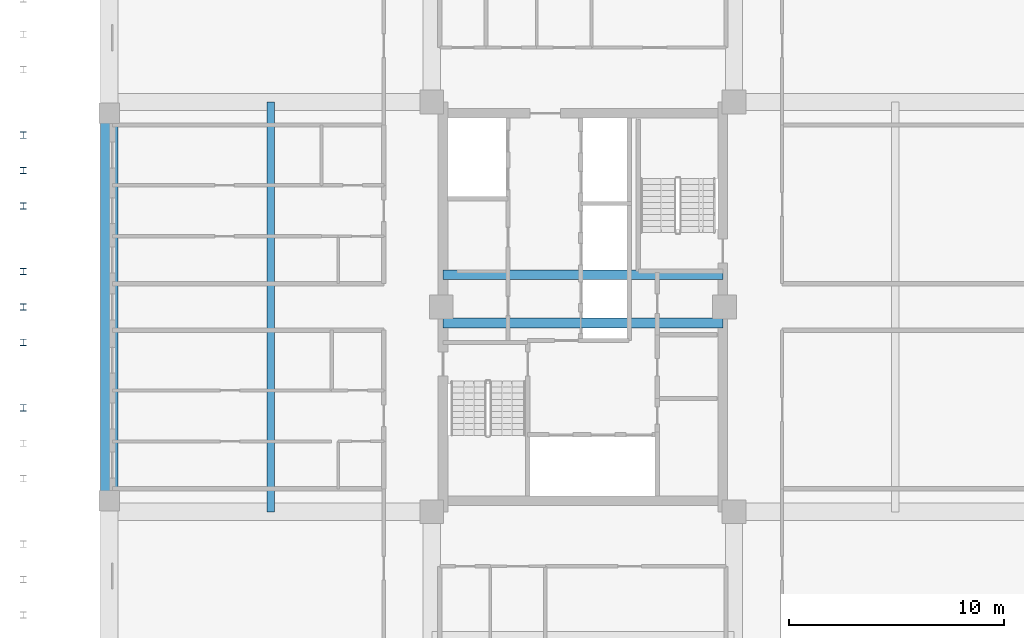
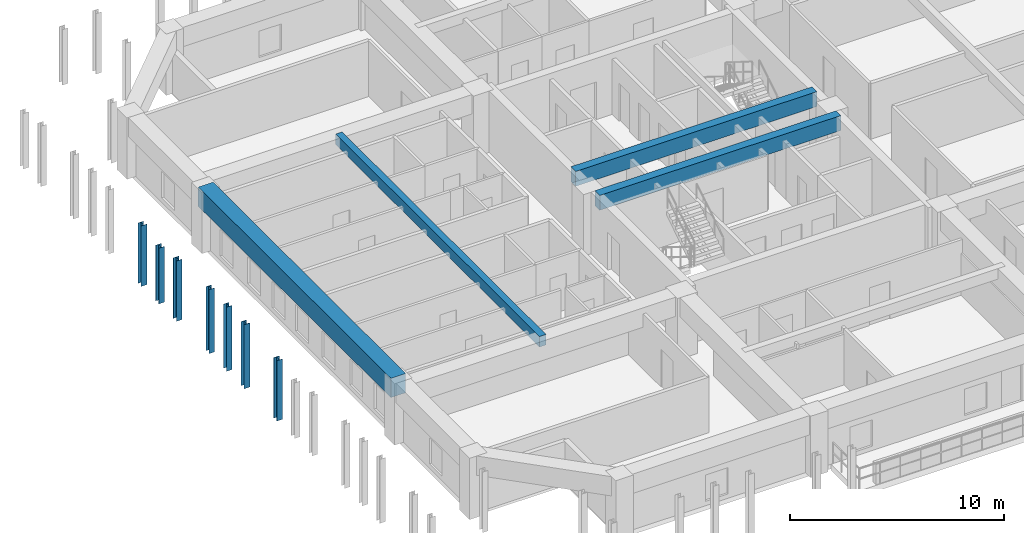
# One storey, part 3 of 13: 7 members, 4 beams.
"""IFC4 building model written with IfcOpenShell, lengths in metres."""

from ifc_helpers import new_model, si_unit, direction, frame, origin, origin_2d, place, context, subcontext, project, spatial, rectangle, i_section, extrude, source, transform, mapped, material, material_profile, profile_set, type_object, element, save


model = new_model("IFC4")

# Units and contexts
model_context = context("Model", 3, precision=1e-05, world=origin(), true_north=direction((0.0, 1.0)))
body_context = subcontext(model_context, "Body", "Model", "MODEL_VIEW")
ifc_project = project(units=[si_unit("LENGTHUNIT", "METRE"), si_unit("AREAUNIT", "SQUARE_METRE"), si_unit("VOLUMEUNIT", "CUBIC_METRE"), si_unit("PLANEANGLEUNIT", "RADIAN"), si_unit("MASSUNIT", "GRAM", prefix="KILO")], contexts=[model_context])

# Site, building, storey
site_placement = place(None, origin())
site = spatial("IfcSite", under=ifc_project, at=site_placement, CompositionType="ELEMENT")
building_placement = place(site_placement, origin())
building = spatial("IfcBuilding", under=site, at=building_placement, Name="Saelheon Loggia Tower", CompositionType="ELEMENT")
storey_placement = place(building_placement, frame((0.0, 0.0, 148.699951171875)))
storey = spatial("IfcBuildingStorey", under=building, at=storey_placement, Name="L47", CompositionType="ELEMENT", Elevation=148.699951171875)

# Beams
ifc_material_1 = material(Name="Concrete C50/60", Category="concrete")
ifc_material_profile_1 = material_profile(ifc_material_1, rectangle(XDim=0.449951171875, YDim=0.85009765625, at=origin_2d()), Name="RC-450x850")
ifc_profile_set_1 = profile_set([ifc_material_profile_1], Name="Concrete C50/60")
beam_type_1 = type_object("IfcBeamType", Name="Beam_CoreLintel_RC450x850", PredefinedType="LINTEL", material=ifc_profile_set_1)
shared_shape_1 = source(origin(), body_context, "Body", "SweptSolid", [
    extrude(rectangle(XDim=0.449951171875, YDim=0.85009765625, at=origin_2d()), origin(), (0.0, 0.0, 1.0), 13.0),
])
for number, where, z_axis, x_axis, name in (
    (1, (31.5, 26.25, 3.074951171875), (1.0, 0.0, 0.0), (0.0, 1.0, 0.0), "L47 Core Coupling Lintel 1"),
    (2, (31.5, 28.5, 3.074951171875), (1.0, 0.0, 0.0), (0.0, 1.0, 0.0), "L47 Core Coupling Lintel 2"),
):
    element("IfcBeam", number, at=place(storey_placement, frame(where, z_axis=z_axis, x_axis=x_axis)), inside=storey, type_object=beam_type_1, Name=name, PredefinedType="LINTEL", context=body_context, shape_type="MappedRepresentation", body=[
        mapped(shared_shape_1, transform((0.0, 0.0, 0.0), scale=1.0)),
    ])

# Members
ifc_material_2 = material(Name="Steel SM355", Category="steel")
ifc_material_profile_2 = material_profile(ifc_material_2, i_section(OverallWidth=0.300048828125, OverallDepth=0.300048828125, WebThickness=0.010009765625, FlangeThickness=0.014892578125, at=origin_2d()), Name="H-300x300x10x15")
ifc_profile_set_2 = profile_set([ifc_material_profile_2], Name="Steel SM355")
member_type = type_object("IfcMemberType", Name="WaveCrest_Post_H300", PredefinedType="POST", material=ifc_profile_set_2)
shared_shape_2 = source(origin(), body_context, "Body", "SweptSolid", [
    extrude(i_section(OverallWidth=0.300048828125, OverallDepth=0.300048828125, WebThickness=0.010009765625, FlangeThickness=0.014892578125, at=origin_2d()), origin(), (0.0, 0.0, 1.0), 3.169921875),
])
member_placement = place(storey_placement, frame((12.0, 33.333251953125, -0.14990234375), z_axis=(0.0, 0.0, 1.0), x_axis=(1.0, 0.0, 0.0)))
element("IfcMember", 3, at=member_placement, inside=storey, type_object=member_type, Name="Tier 1 Wave Crest Lower Post W 04", PredefinedType="POST", context=body_context, shape_type="MappedRepresentation", body=[
    mapped(shared_shape_2, transform((0.0, 0.0, 0.0), scale=1.0)),
])
shared_shape_3 = source(origin(), body_context, "Body", "SweptSolid", [
    extrude(i_section(OverallWidth=0.300048828125, OverallDepth=0.300048828125, WebThickness=0.010009765625, FlangeThickness=0.014892578125, at=origin_2d()), origin(), (0.0, 0.0, 1.0), 3.64990234375),
])
for number, where, z_axis, x_axis, name in (
    (4, (12.0, 27.0, -0.14990234375), (0.0, 0.0, 1.0), (1.0, 0.0, 0.0), "Tier 1 Wave Crest Lower Post W 03"),
    (5, (12.0, 25.355224609375, -0.14990234375), (0.0, 0.0, 1.0), (1.0, 0.0, 0.0), "Tier 1 Rafter Outer Lower Post W 03"),
    (6, (12.0, 28.644775390625, -0.14990234375), (0.0, 0.0, 1.0), (1.0, 0.0, 0.0), "Tier 1 Rafter Outer Lower Post W 04"),
):
    element("IfcMember", number, at=place(storey_placement, frame(where, z_axis=z_axis, x_axis=x_axis)), inside=storey, type_object=member_type, Name=name, PredefinedType="POST", context=body_context, shape_type="MappedRepresentation", body=[
        mapped(shared_shape_3, transform((0.0, 0.0, 0.0), scale=1.0)),
    ])
shared_shape_4 = source(origin(), body_context, "Body", "SweptSolid", [
    extrude(i_section(OverallWidth=0.300048828125, OverallDepth=0.300048828125, WebThickness=0.010009765625, FlangeThickness=0.014892578125, at=origin_2d()), origin(), (0.0, 0.0, 1.0), 3.44189453125),
])
for number, where, z_axis, x_axis, name in (
    (7, (12.0, 22.3115234375, -0.14990234375), (0.0, 0.0, 1.0), (1.0, 0.0, 0.0), "Tier 1 Rafter Outer Lower Post W 03"),
    (8, (12.0, 31.6884765625, -0.14990234375), (0.0, 0.0, 1.0), (1.0, 0.0, 0.0), "Tier 1 Rafter Outer Lower Post W 04"),
    (9, (12.0, 34.97802734375, -0.14990234375), (0.0, 0.0, 1.0), (1.0, 0.0, 0.0), "Tier 1 Rafter Outer Lower Post W 05"),
):
    element("IfcMember", number, at=place(storey_placement, frame(where, z_axis=z_axis, x_axis=x_axis)), inside=storey, type_object=member_type, Name=name, PredefinedType="POST", context=body_context, shape_type="MappedRepresentation", body=[
        mapped(shared_shape_4, transform((0.0, 0.0, 0.0), scale=1.0)),
    ])

# Beams
ifc_material_3 = material(Name="Concrete C45/55", Category="concrete")
ifc_material_profile_3 = material_profile(ifc_material_3, rectangle(XDim=0.35009765625, YDim=0.60009765625, at=origin_2d()), Name="RC-350x600")
ifc_profile_set_3 = profile_set([ifc_material_profile_3], Name="Concrete C45/55")
beam_type_2 = type_object("IfcBeamType", Name="Beam_AmenityJoist_RC350x600", PredefinedType="JOIST", material=ifc_profile_set_3)
shared_shape_5 = source(origin(), body_context, "Body", "SweptSolid", [
    extrude(rectangle(XDim=0.35009765625, YDim=0.60009765625, at=origin_2d()), origin(), (0.0, 0.0, 1.0), 19.0400390625),
])
beam_1_placement = place(storey_placement, frame((23.489990234375, 17.47998046875, 3.199951171875), z_axis=(0.0, 1.0, 0.0), x_axis=(-1.0, 0.0, 0.0)))
element("IfcBeam", 10, at=beam_1_placement, inside=storey, type_object=beam_type_2, Name="L47 West Floor Joist", PredefinedType="JOIST", context=body_context, shape_type="MappedRepresentation", body=[
    mapped(shared_shape_5, transform((0.0, 0.0, 0.0), scale=1.0)),
])
ifc_material_profile_4 = material_profile(ifc_material_1, rectangle(XDim=0.800048828125, YDim=1.10009765625, at=origin_2d()), Name="RC-800x1100")
ifc_profile_set_4 = profile_set([ifc_material_profile_4], Name="Concrete C50/60")
beam_type_3 = type_object("IfcBeamType", Name="Beam_PerimSetback_RC800x1100", PredefinedType="BEAM", material=ifc_profile_set_4)
shared_shape_6 = source(origin(), body_context, "Body", "SweptSolid", [
    extrude(rectangle(XDim=0.800048828125, YDim=1.10009765625, at=origin_2d()), origin(), (0.0, 0.0, 1.0), 18.0),
])
beam_2_placement = place(storey_placement, frame((16.0, 36.0, 2.949951171875), z_axis=(0.0, -1.0, 0.0), x_axis=(1.0, 0.0, 0.0)))
element("IfcBeam", 11, at=beam_2_placement, inside=storey, type_object=beam_type_3, Name="L47 Perimeter Frame Girder 14", PredefinedType="BEAM", context=body_context, shape_type="MappedRepresentation", body=[
    mapped(shared_shape_6, transform((0.0, 0.0, 0.0), scale=1.0)),
])

save(model, "model.ifc")
